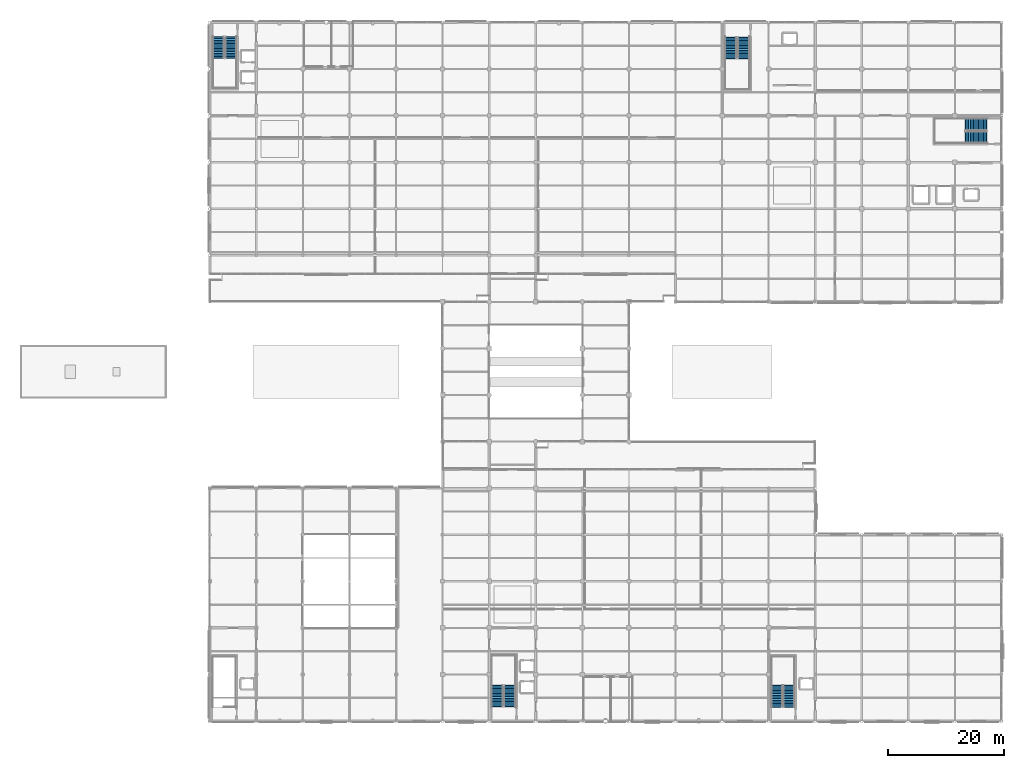
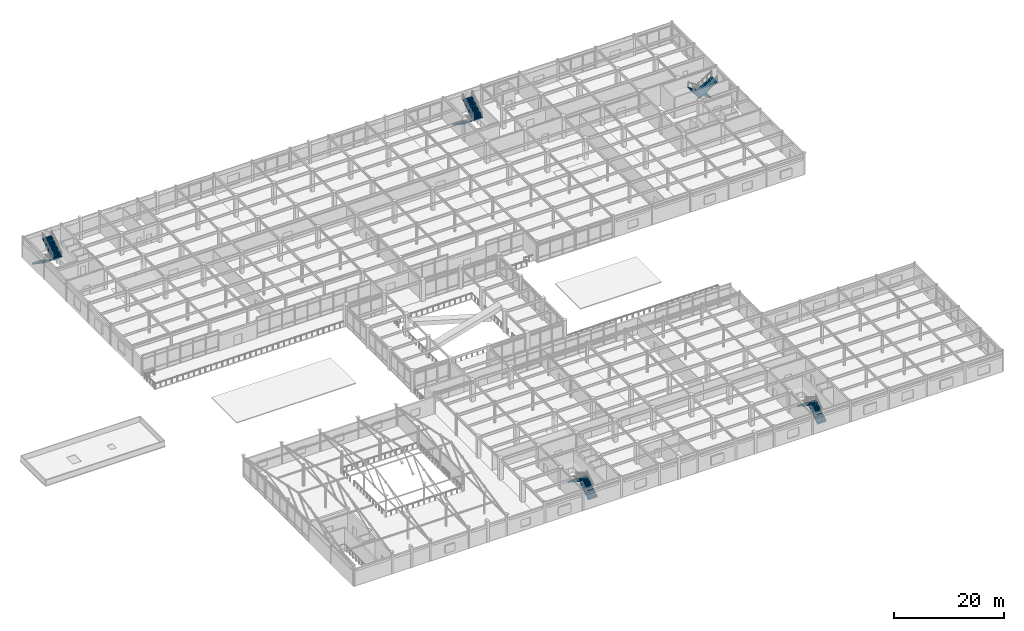
# One storey, part 98 of 117: 10 stair flights, 5 elements without a shape of their own.
"""IFC4 building model written with IfcOpenShell, lengths in metres."""

from ifc_helpers import new_model, si_unit, direction, frame, origin, place, context, subcontext, project, spatial, polyline, outline, extrude, material, type_object, element, aggregate, save


model = new_model("IFC4")

# Units and contexts
model_context = context("Model", 3, precision=1e-05, world=origin(), true_north=direction((0.0, 1.0)))
body_context = subcontext(model_context, "Body", "Model", "MODEL_VIEW")
ifc_project = project(units=[si_unit("LENGTHUNIT", "METRE"), si_unit("AREAUNIT", "SQUARE_METRE"), si_unit("VOLUMEUNIT", "CUBIC_METRE"), si_unit("PLANEANGLEUNIT", "RADIAN"), si_unit("MASSUNIT", "GRAM", prefix="KILO")], contexts=[model_context])

# Site, building, storey
site_placement = place(None, origin())
site = spatial("IfcSite", under=ifc_project, at=site_placement, CompositionType="ELEMENT")
building_placement = place(site_placement, origin())
building = spatial("IfcBuilding", under=site, at=building_placement, Name="Solmirada Galleria", CompositionType="ELEMENT")
storey_placement = place(building_placement, frame((0.0, 0.0, 5.60009765625)))
storey = spatial("IfcBuildingStorey", under=building, at=storey_placement, Name="L01", CompositionType="ELEMENT", Elevation=5.60009765625)

# Stair, stair flights
ifc_material = material(Name="Concrete C35/45", Category="concrete")
stair_type_1 = type_object("IfcStairType", Name="STR-DOG-195-H48", PredefinedType="HALF_TURN_STAIR", material=ifc_material)
stair_1_placement = place(storey_placement, origin())
stair_1 = element("IfcStair", 1, at=stair_1_placement, inside=storey, type_object=stair_type_1, Name="L01 Southeast Podium Core Exit Stair ST6", PredefinedType="HALF_TURN_STAIR")
stair_flight_type_1 = type_object("IfcStairFlightType", Name="SFL-DOG-195-H48", PredefinedType="STRAIGHT", material=ifc_material)
stair_flight_1_placement = place(storey_placement, frame((139.52490234375, 2.449951171875, 0.0), z_axis=(0.0, 0.0, 1.0), x_axis=(0.0, 1.0, 0.0)))
stair_flight_1 = element("IfcStairFlight", 2, at=stair_flight_1_placement, type_object=stair_flight_type_1, Name="ST6 flight 1", NumberOfRisers=14, NumberOfTreads=13, PredefinedType="STRAIGHT", RiserHeight=0.171428571, TreadLength=0.28, context=body_context, shape_type="SweptSolid", body=[
    extrude(outline(polyline([(-0.080078125, 0.0), (0.0, 0.0), (0.0, 0.17138671875), (0.280029296875, 0.17138671875), (0.280029296875, 0.3427734375), (0.56005859375, 0.3427734375), (0.56005859375, 0.514404296875), (0.840087890625, 0.514404296875), (0.840087890625, 0.685791015625), (1.1201171875, 0.685791015625), (1.1201171875, 0.857177734375), (1.39990234375, 0.857177734375), (1.39990234375, 1.028564453125), (1.679931640625, 1.028564453125), (1.679931640625, 1.199951171875), (1.9599609375, 1.199951171875), (1.9599609375, 1.371337890625), (2.239990234375, 1.371337890625), (2.239990234375, 1.54296875), (2.52001953125, 1.54296875), (2.52001953125, 1.71435546875), (2.800048828125, 1.71435546875), (2.800048828125, 1.8857421875), (3.080078125, 1.8857421875), (3.080078125, 2.05712890625), (3.360107421875, 2.05712890625), (3.360107421875, 2.228515625), (3.639892578125, 2.228515625), (3.639892578125, 2.39990234375), (3.719970703125, 2.39990234375), (3.719970703125, 2.199951171875), (3.639892578125, 2.199951171875), (0.080078125, -0.179931640625), (-0.080078125, -0.179931640625), (-0.080078125, 0.0)])), frame((0.0, 0.97509765625, 0.0), z_axis=(0.0, -1.0, 0.0), x_axis=(1.0, 0.0, 0.0)), (0.0, 0.0, 1.0), 1.949951171875),
])
stair_flight_2_placement = place(storey_placement, frame((137.425048828125, 6.090087890625, 2.39990234375), z_axis=(0.0, 0.0, 1.0), x_axis=(0.0, -1.0, 0.0)))
stair_flight_2 = element("IfcStairFlight", 3, at=stair_flight_2_placement, type_object=stair_flight_type_1, Name="ST6 flight 2", NumberOfRisers=14, NumberOfTreads=13, PredefinedType="STRAIGHT", RiserHeight=0.171428571, TreadLength=0.28, context=body_context, shape_type="SweptSolid", body=[
    extrude(outline(polyline([(-0.080078125, 0.0), (0.0, 0.0), (0.0, 0.17138671875), (0.280029296875, 0.17138671875), (0.280029296875, 0.3427734375), (0.56005859375, 0.3427734375), (0.56005859375, 0.514404296875), (0.840087890625, 0.514404296875), (0.840087890625, 0.685791015625), (1.1201171875, 0.685791015625), (1.1201171875, 0.857177734375), (1.39990234375, 0.857177734375), (1.39990234375, 1.028564453125), (1.679931640625, 1.028564453125), (1.679931640625, 1.199951171875), (1.9599609375, 1.199951171875), (1.9599609375, 1.371337890625), (2.239990234375, 1.371337890625), (2.239990234375, 1.54296875), (2.52001953125, 1.54296875), (2.52001953125, 1.71435546875), (2.800048828125, 1.71435546875), (2.800048828125, 1.8857421875), (3.080078125, 1.8857421875), (3.080078125, 2.05712890625), (3.360107421875, 2.05712890625), (3.360107421875, 2.228515625), (3.639892578125, 2.228515625), (3.639892578125, 2.39990234375), (3.719970703125, 2.39990234375), (3.719970703125, 2.199951171875), (3.639892578125, 2.199951171875), (0.080078125, -0.179931640625), (-0.080078125, -0.179931640625), (-0.080078125, 0.0)])), frame((0.0, 0.97509765625, 0.0), z_axis=(0.0, -1.0, 0.0), x_axis=(1.0, 0.0, 0.0)), (0.0, 0.0, 1.0), 1.949951171875),
])
aggregate(stair_1, [stair_flight_1, stair_flight_2])

stair_type_2 = type_object("IfcStairType", Name="STR-DOG-200-H48", PredefinedType="HALF_TURN_STAIR", material=ifc_material)
stair_2_placement = place(storey_placement, origin())
stair_2 = element("IfcStair", 4, at=stair_2_placement, inside=storey, type_object=stair_type_2, Name="L01 Northwest Sales Core Exit Stair ST1", PredefinedType="HALF_TURN_STAIR")
stair_flight_type_2 = type_object("IfcStairFlightType", Name="SFL-DOG-200-H48", PredefinedType="STRAIGHT", material=ifc_material)
stair_flight_3_placement = place(storey_placement, frame((41.5, 117.5, 0.0), z_axis=(0.0, 0.0, 1.0), x_axis=(0.0, -1.0, 0.0)))
stair_flight_3 = element("IfcStairFlight", 5, at=stair_flight_3_placement, type_object=stair_flight_type_2, Name="ST1 flight 1", NumberOfRisers=14, NumberOfTreads=13, PredefinedType="STRAIGHT", RiserHeight=0.171428571, TreadLength=0.28, context=body_context, shape_type="SweptSolid", body=[
    extrude(outline(polyline([(-0.080078125, 0.0), (0.0, 0.0), (0.0, 0.17138671875), (0.280029296875, 0.17138671875), (0.280029296875, 0.3427734375), (0.56005859375, 0.3427734375), (0.56005859375, 0.514404296875), (0.840087890625, 0.514404296875), (0.840087890625, 0.685791015625), (1.1201171875, 0.685791015625), (1.1201171875, 0.857177734375), (1.39990234375, 0.857177734375), (1.39990234375, 1.028564453125), (1.679931640625, 1.028564453125), (1.679931640625, 1.199951171875), (1.9599609375, 1.199951171875), (1.9599609375, 1.371337890625), (2.239990234375, 1.371337890625), (2.239990234375, 1.54296875), (2.52001953125, 1.54296875), (2.52001953125, 1.71435546875), (2.800048828125, 1.71435546875), (2.800048828125, 1.8857421875), (3.080078125, 1.8857421875), (3.080078125, 2.05712890625), (3.360107421875, 2.05712890625), (3.360107421875, 2.228515625), (3.639892578125, 2.228515625), (3.639892578125, 2.39990234375), (3.719970703125, 2.39990234375), (3.719970703125, 2.199951171875), (3.639892578125, 2.199951171875), (0.080078125, -0.179931640625), (-0.080078125, -0.179931640625), (-0.080078125, 0.0)])), frame((0.0, 1.0, 0.0), z_axis=(0.0, -1.0, 0.0), x_axis=(1.0, 0.0, 0.0)), (0.0, 0.0, 1.0), 2.0),
])
stair_flight_4_placement = place(storey_placement, frame((43.64990234375, 113.860107421875, 2.39990234375), z_axis=(0.0, 0.0, 1.0), x_axis=(0.0, 1.0, 0.0)))
stair_flight_4 = element("IfcStairFlight", 6, at=stair_flight_4_placement, type_object=stair_flight_type_2, Name="ST1 flight 2", NumberOfRisers=14, NumberOfTreads=13, PredefinedType="STRAIGHT", RiserHeight=0.171428571, TreadLength=0.28, context=body_context, shape_type="SweptSolid", body=[
    extrude(outline(polyline([(-0.080078125, 0.0), (0.0, 0.0), (0.0, 0.17138671875), (0.280029296875, 0.17138671875), (0.280029296875, 0.3427734375), (0.56005859375, 0.3427734375), (0.56005859375, 0.514404296875), (0.840087890625, 0.514404296875), (0.840087890625, 0.685791015625), (1.1201171875, 0.685791015625), (1.1201171875, 0.857177734375), (1.39990234375, 0.857177734375), (1.39990234375, 1.028564453125), (1.679931640625, 1.028564453125), (1.679931640625, 1.199951171875), (1.9599609375, 1.199951171875), (1.9599609375, 1.371337890625), (2.239990234375, 1.371337890625), (2.239990234375, 1.54296875), (2.52001953125, 1.54296875), (2.52001953125, 1.71435546875), (2.800048828125, 1.71435546875), (2.800048828125, 1.8857421875), (3.080078125, 1.8857421875), (3.080078125, 2.05712890625), (3.360107421875, 2.05712890625), (3.360107421875, 2.228515625), (3.639892578125, 2.228515625), (3.639892578125, 2.39990234375), (3.719970703125, 2.39990234375), (3.719970703125, 2.199951171875), (3.639892578125, 2.199951171875), (0.080078125, -0.179931640625), (-0.080078125, -0.179931640625), (-0.080078125, 0.0)])), frame((0.0, 1.0, 0.0), z_axis=(0.0, -1.0, 0.0), x_axis=(1.0, 0.0, 0.0)), (0.0, 0.0, 1.0), 2.0),
])
aggregate(stair_2, [stair_flight_3, stair_flight_4])

stair_3_placement = place(storey_placement, origin())
stair_3 = element("IfcStair", 7, at=stair_3_placement, inside=storey, type_object=stair_type_2, Name="L01 South Sales Core Exit Stair ST2", PredefinedType="HALF_TURN_STAIR")
stair_flight_5_placement = place(storey_placement, frame((91.550048828125, 2.5, 0.0), z_axis=(0.0, 0.0, 1.0), x_axis=(0.0, 1.0, 0.0)))
stair_flight_5 = element("IfcStairFlight", 8, at=stair_flight_5_placement, type_object=stair_flight_type_2, Name="ST2 flight 1", NumberOfRisers=14, NumberOfTreads=13, PredefinedType="STRAIGHT", RiserHeight=0.171428571, TreadLength=0.28, context=body_context, shape_type="SweptSolid", body=[
    extrude(outline(polyline([(-0.080078125, 0.0), (0.0, 0.0), (0.0, 0.17138671875), (0.280029296875, 0.17138671875), (0.280029296875, 0.3427734375), (0.56005859375, 0.3427734375), (0.56005859375, 0.514404296875), (0.840087890625, 0.514404296875), (0.840087890625, 0.685791015625), (1.1201171875, 0.685791015625), (1.1201171875, 0.857177734375), (1.39990234375, 0.857177734375), (1.39990234375, 1.028564453125), (1.679931640625, 1.028564453125), (1.679931640625, 1.199951171875), (1.9599609375, 1.199951171875), (1.9599609375, 1.371337890625), (2.239990234375, 1.371337890625), (2.239990234375, 1.54296875), (2.52001953125, 1.54296875), (2.52001953125, 1.71435546875), (2.800048828125, 1.71435546875), (2.800048828125, 1.8857421875), (3.080078125, 1.8857421875), (3.080078125, 2.05712890625), (3.360107421875, 2.05712890625), (3.360107421875, 2.228515625), (3.639892578125, 2.228515625), (3.639892578125, 2.39990234375), (3.719970703125, 2.39990234375), (3.719970703125, 2.199951171875), (3.639892578125, 2.199951171875), (0.080078125, -0.179931640625), (-0.080078125, -0.179931640625), (-0.080078125, 0.0)])), frame((0.0, 1.0, 0.0), z_axis=(0.0, -1.0, 0.0), x_axis=(1.0, 0.0, 0.0)), (0.0, 0.0, 1.0), 2.0),
])
stair_flight_6_placement = place(storey_placement, frame((89.39990234375, 6.139892578125, 2.39990234375), z_axis=(0.0, 0.0, 1.0), x_axis=(0.0, -1.0, 0.0)))
stair_flight_6 = element("IfcStairFlight", 9, at=stair_flight_6_placement, type_object=stair_flight_type_2, Name="ST2 flight 2", NumberOfRisers=14, NumberOfTreads=13, PredefinedType="STRAIGHT", RiserHeight=0.171428571, TreadLength=0.28, context=body_context, shape_type="SweptSolid", body=[
    extrude(outline(polyline([(-0.080078125, 0.0), (0.0, 0.0), (0.0, 0.17138671875), (0.280029296875, 0.17138671875), (0.280029296875, 0.3427734375), (0.56005859375, 0.3427734375), (0.56005859375, 0.514404296875), (0.840087890625, 0.514404296875), (0.840087890625, 0.685791015625), (1.1201171875, 0.685791015625), (1.1201171875, 0.857177734375), (1.39990234375, 0.857177734375), (1.39990234375, 1.028564453125), (1.679931640625, 1.028564453125), (1.679931640625, 1.199951171875), (1.9599609375, 1.199951171875), (1.9599609375, 1.371337890625), (2.239990234375, 1.371337890625), (2.239990234375, 1.54296875), (2.52001953125, 1.54296875), (2.52001953125, 1.71435546875), (2.800048828125, 1.71435546875), (2.800048828125, 1.8857421875), (3.080078125, 1.8857421875), (3.080078125, 2.05712890625), (3.360107421875, 2.05712890625), (3.360107421875, 2.228515625), (3.639892578125, 2.228515625), (3.639892578125, 2.39990234375), (3.719970703125, 2.39990234375), (3.719970703125, 2.199951171875), (3.639892578125, 2.199951171875), (0.080078125, -0.179931640625), (-0.080078125, -0.179931640625), (-0.080078125, 0.0)])), frame((0.0, 1.0, 0.0), z_axis=(0.0, -1.0, 0.0), x_axis=(1.0, 0.0, 0.0)), (0.0, 0.0, 1.0), 2.0),
])
aggregate(stair_3, [stair_flight_5, stair_flight_6])

stair_type_3 = type_object("IfcStairType", Name="STR-DOG-205-H48", PredefinedType="HALF_TURN_STAIR", material=ifc_material)
stair_4_placement = place(storey_placement, origin())
stair_4 = element("IfcStair", 10, at=stair_4_placement, inside=storey, type_object=stair_type_3, Name="L01 North Avenue High-Rise Core Exit Stair ST3", PredefinedType="HALF_TURN_STAIR")
stair_flight_type_3 = type_object("IfcStairFlightType", Name="SFL-DOG-205-H48", PredefinedType="STRAIGHT", material=ifc_material)
stair_flight_7_placement = place(storey_placement, frame((129.52490234375, 117.449951171875, 0.0), z_axis=(0.0, 0.0, 1.0), x_axis=(0.0, -1.0, 0.0)))
stair_flight_7 = element("IfcStairFlight", 11, at=stair_flight_7_placement, type_object=stair_flight_type_3, Name="ST3 flight 1", NumberOfRisers=14, NumberOfTreads=13, PredefinedType="STRAIGHT", RiserHeight=0.171428571, TreadLength=0.28, context=body_context, shape_type="SweptSolid", body=[
    extrude(outline(polyline([(-0.080078125, 0.0), (0.0, 0.0), (0.0, 0.17138671875), (0.280029296875, 0.17138671875), (0.280029296875, 0.3427734375), (0.56005859375, 0.3427734375), (0.56005859375, 0.514404296875), (0.840087890625, 0.514404296875), (0.840087890625, 0.685791015625), (1.1201171875, 0.685791015625), (1.1201171875, 0.857177734375), (1.39990234375, 0.857177734375), (1.39990234375, 1.028564453125), (1.679931640625, 1.028564453125), (1.679931640625, 1.199951171875), (1.9599609375, 1.199951171875), (1.9599609375, 1.371337890625), (2.239990234375, 1.371337890625), (2.239990234375, 1.54296875), (2.52001953125, 1.54296875), (2.52001953125, 1.71435546875), (2.800048828125, 1.71435546875), (2.800048828125, 1.8857421875), (3.080078125, 1.8857421875), (3.080078125, 2.05712890625), (3.360107421875, 2.05712890625), (3.360107421875, 2.228515625), (3.639892578125, 2.228515625), (3.639892578125, 2.39990234375), (3.719970703125, 2.39990234375), (3.719970703125, 2.199951171875), (3.639892578125, 2.199951171875), (0.080078125, -0.179931640625), (-0.080078125, -0.179931640625), (-0.080078125, 0.0)])), frame((0.0, 1.02490234375, 0.0), z_axis=(0.0, -1.0, 0.0), x_axis=(1.0, 0.0, 0.0)), (0.0, 0.0, 1.0), 2.050048828125),
])
stair_flight_8_placement = place(storey_placement, frame((131.72509765625, 113.81005859375, 2.39990234375), z_axis=(0.0, 0.0, 1.0), x_axis=(0.0, 1.0, 0.0)))
stair_flight_8 = element("IfcStairFlight", 12, at=stair_flight_8_placement, type_object=stair_flight_type_3, Name="ST3 flight 2", NumberOfRisers=14, NumberOfTreads=13, PredefinedType="STRAIGHT", RiserHeight=0.171428571, TreadLength=0.28, context=body_context, shape_type="SweptSolid", body=[
    extrude(outline(polyline([(-0.080078125, 0.0), (0.0, 0.0), (0.0, 0.17138671875), (0.280029296875, 0.17138671875), (0.280029296875, 0.3427734375), (0.56005859375, 0.3427734375), (0.56005859375, 0.514404296875), (0.840087890625, 0.514404296875), (0.840087890625, 0.685791015625), (1.1201171875, 0.685791015625), (1.1201171875, 0.857177734375), (1.39990234375, 0.857177734375), (1.39990234375, 1.028564453125), (1.679931640625, 1.028564453125), (1.679931640625, 1.199951171875), (1.9599609375, 1.199951171875), (1.9599609375, 1.371337890625), (2.239990234375, 1.371337890625), (2.239990234375, 1.54296875), (2.52001953125, 1.54296875), (2.52001953125, 1.71435546875), (2.800048828125, 1.71435546875), (2.800048828125, 1.8857421875), (3.080078125, 1.8857421875), (3.080078125, 2.05712890625), (3.360107421875, 2.05712890625), (3.360107421875, 2.228515625), (3.639892578125, 2.228515625), (3.639892578125, 2.39990234375), (3.719970703125, 2.39990234375), (3.719970703125, 2.199951171875), (3.639892578125, 2.199951171875), (0.080078125, -0.179931640625), (-0.080078125, -0.179931640625), (-0.080078125, 0.0)])), frame((0.0, 1.02490234375, 0.0), z_axis=(0.0, -1.0, 0.0), x_axis=(1.0, 0.0, 0.0)), (0.0, 0.0, 1.0), 2.050048828125),
])
aggregate(stair_4, [stair_flight_7, stair_flight_8])

stair_5_placement = place(storey_placement, origin())
stair_5 = element("IfcStair", 13, at=stair_5_placement, inside=storey, type_object=stair_type_3, Name="L01 East Avenue High-Rise and Freight Core Exit Stair ST4", PredefinedType="HALF_TURN_STAIR")
stair_flight_9_placement = place(storey_placement, frame((173.449951171875, 102.47509765625, 0.0), z_axis=(0.0, 0.0, 1.0), x_axis=(-1.0, 0.0, 0.0)))
stair_flight_9 = element("IfcStairFlight", 14, at=stair_flight_9_placement, type_object=stair_flight_type_3, Name="ST4 flight 1", NumberOfRisers=14, NumberOfTreads=13, PredefinedType="STRAIGHT", RiserHeight=0.171428571, TreadLength=0.28, context=body_context, shape_type="SweptSolid", body=[
    extrude(outline(polyline([(-0.080078125, 0.0), (0.0, 0.0), (0.0, 0.17138671875), (0.280029296875, 0.17138671875), (0.280029296875, 0.3427734375), (0.56005859375, 0.3427734375), (0.56005859375, 0.514404296875), (0.840087890625, 0.514404296875), (0.840087890625, 0.685791015625), (1.1201171875, 0.685791015625), (1.1201171875, 0.857177734375), (1.39990234375, 0.857177734375), (1.39990234375, 1.028564453125), (1.679931640625, 1.028564453125), (1.679931640625, 1.199951171875), (1.9599609375, 1.199951171875), (1.9599609375, 1.371337890625), (2.239990234375, 1.371337890625), (2.239990234375, 1.54296875), (2.52001953125, 1.54296875), (2.52001953125, 1.71435546875), (2.800048828125, 1.71435546875), (2.800048828125, 1.8857421875), (3.080078125, 1.8857421875), (3.080078125, 2.05712890625), (3.360107421875, 2.05712890625), (3.360107421875, 2.228515625), (3.639892578125, 2.228515625), (3.639892578125, 2.39990234375), (3.719970703125, 2.39990234375), (3.719970703125, 2.199951171875), (3.639892578125, 2.199951171875), (0.080078125, -0.179931640625), (-0.080078125, -0.179931640625), (-0.080078125, 0.0)])), frame((0.0, 1.02490234375, 0.0), z_axis=(0.0, -1.0, 0.0), x_axis=(1.0, 0.0, 0.0)), (0.0, 0.0, 1.0), 2.050048828125),
])
stair_flight_10_placement = place(storey_placement, frame((169.81005859375, 100.27490234375, 2.39990234375), z_axis=(0.0, 0.0, 1.0), x_axis=(1.0, 0.0, 0.0)))
stair_flight_10 = element("IfcStairFlight", 15, at=stair_flight_10_placement, type_object=stair_flight_type_3, Name="ST4 flight 2", NumberOfRisers=14, NumberOfTreads=13, PredefinedType="STRAIGHT", RiserHeight=0.171428571, TreadLength=0.28, context=body_context, shape_type="SweptSolid", body=[
    extrude(outline(polyline([(-0.080078125, 0.0), (0.0, 0.0), (0.0, 0.17138671875), (0.280029296875, 0.17138671875), (0.280029296875, 0.3427734375), (0.56005859375, 0.3427734375), (0.56005859375, 0.514404296875), (0.840087890625, 0.514404296875), (0.840087890625, 0.685791015625), (1.1201171875, 0.685791015625), (1.1201171875, 0.857177734375), (1.39990234375, 0.857177734375), (1.39990234375, 1.028564453125), (1.679931640625, 1.028564453125), (1.679931640625, 1.199951171875), (1.9599609375, 1.199951171875), (1.9599609375, 1.371337890625), (2.239990234375, 1.371337890625), (2.239990234375, 1.54296875), (2.52001953125, 1.54296875), (2.52001953125, 1.71435546875), (2.800048828125, 1.71435546875), (2.800048828125, 1.8857421875), (3.080078125, 1.8857421875), (3.080078125, 2.05712890625), (3.360107421875, 2.05712890625), (3.360107421875, 2.228515625), (3.639892578125, 2.228515625), (3.639892578125, 2.39990234375), (3.719970703125, 2.39990234375), (3.719970703125, 2.199951171875), (3.639892578125, 2.199951171875), (0.080078125, -0.179931640625), (-0.080078125, -0.179931640625), (-0.080078125, 0.0)])), frame((0.0, 1.02490234375, 0.0), z_axis=(0.0, -1.0, 0.0), x_axis=(1.0, 0.0, 0.0)), (0.0, 0.0, 1.0), 2.050048828125),
])
aggregate(stair_5, [stair_flight_9, stair_flight_10])

save(model, "model.ifc")
